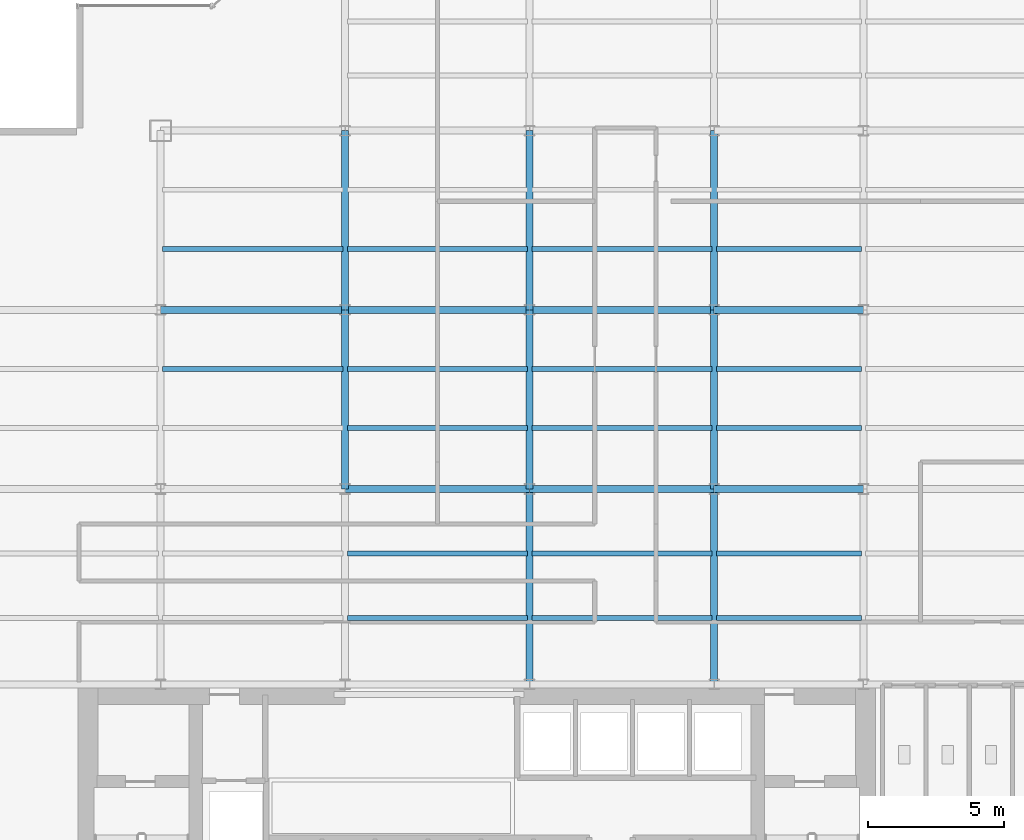
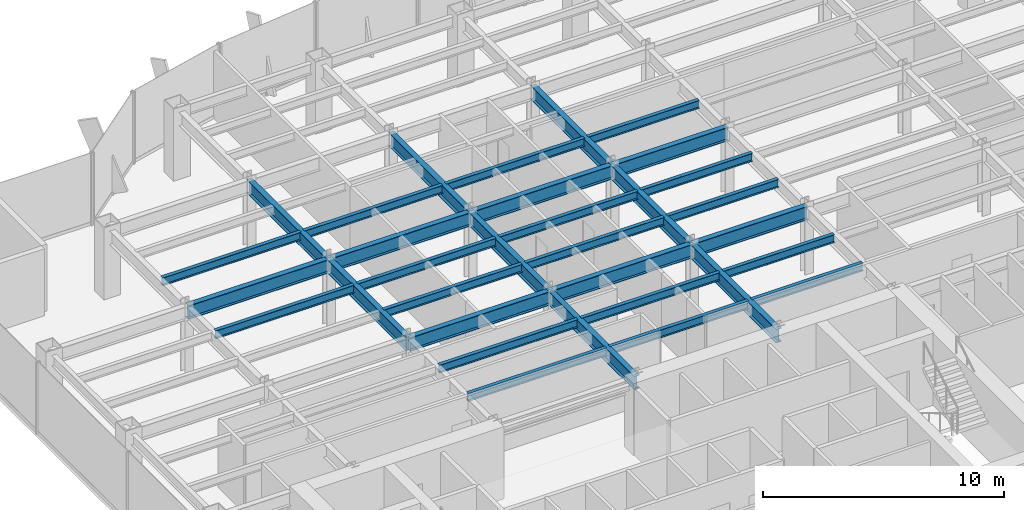
# One storey, part 7 of 26: 32 beams.
"""IFC4 building model written with IfcOpenShell, lengths in metres."""

from ifc_helpers import new_model, si_unit, derived_unit, direction, frame, origin, origin_2d, place, context, subcontext, project, spatial, i_section, extrude, source, transform, mapped, material, material_profile, profile_set, type_object, element, save


model = new_model("IFC4")

# Units and contexts
model_context = context("Model", 3, precision=1e-05, world=origin(), true_north=direction((0.0, 1.0)))
body_context = subcontext(model_context, "Body", "Model", "MODEL_VIEW")
ifc_project = project(units=[si_unit("LENGTHUNIT", "METRE"), si_unit("AREAUNIT", "SQUARE_METRE"), si_unit("VOLUMEUNIT", "CUBIC_METRE"), si_unit("PLANEANGLEUNIT", "RADIAN"), si_unit("MASSUNIT", "GRAM", prefix="KILO"), derived_unit("THERMALTRANSMITTANCEUNIT", [(si_unit("POWERUNIT", "WATT"), 1), (si_unit("LENGTHUNIT", "METRE"), -2), (si_unit("THERMODYNAMICTEMPERATUREUNIT", "KELVIN"), -1)])], contexts=[model_context])

# Site, building, storey
site_placement = place(None, origin())
site = spatial("IfcSite", under=ifc_project, at=site_placement, CompositionType="ELEMENT")
building_placement = place(site_placement, origin())
building = spatial("IfcBuilding", under=site, at=building_placement, Name="Skarnbrae Concourse Arena and Tower", CompositionType="ELEMENT")
storey_placement = place(building_placement, frame((0.0, 0.0, 95.949951171875)))
storey = spatial("IfcBuildingStorey", under=building, at=storey_placement, Name="L23", CompositionType="ELEMENT", Elevation=95.949951171875)

# Beams
ifc_material = material(Name="Steel CSA G40.21 350W", Category="steel")
ifc_material_profile_1 = material_profile(ifc_material, i_section(OverallWidth=0.256103515625, OverallDepth=0.693115234375, WebThickness=0.014404296875, FlangeThickness=0.023681640625, at=origin_2d()), Name="W690X170")
ifc_profile_set_1 = profile_set([ifc_material_profile_1], Name="Steel CSA G40.21 350W")
beam_type_1 = type_object("IfcBeamType", Name="BM-GIRD-W690X170", PredefinedType="BEAM", material=ifc_profile_set_1)
shared_shape_1 = source(origin(), body_context, "Body", "SweptSolid", [
    extrude(i_section(OverallWidth=0.256103515625, OverallDepth=0.693115234375, WebThickness=0.014404296875, FlangeThickness=0.023681640625, at=origin_2d()), origin(), (0.0, 0.0, 1.0), 6.60009765625),
])
for number, where, z_axis, x_axis, name in (
    (1, (14.39990234375, 21.199951171875, 3.053466796875), (0.0, 1.0, 0.0), (-1.0, 0.0, 0.0), "L23 Primary N-S girder X14.4-2"),
    (2, (21.199951171875, 21.199951171875, 3.053466796875), (0.0, 1.0, 0.0), (-1.0, 0.0, 0.0), "L23 Primary N-S girder X21.2-2"),
    (3, (28.0, 21.199951171875, 3.053466796875), (0.0, 1.0, 0.0), (-1.0, 0.0, 0.0), "L23 Primary N-S girder X28.0-2"),
):
    element("IfcBeam", number, at=place(storey_placement, frame(where, z_axis=z_axis, x_axis=x_axis)), inside=storey, type_object=beam_type_1, Name=name, PredefinedType="BEAM", context=body_context, shape_type="MappedRepresentation", body=[
        mapped(shared_shape_1, transform((0.0, 0.0, 0.0))),
    ])
shared_shape_2 = source(origin(), body_context, "Body", "SweptSolid", [
    extrude(i_section(OverallWidth=0.256103515625, OverallDepth=0.693115234375, WebThickness=0.014404296875, FlangeThickness=0.023681640625, at=origin_2d()), origin(), (0.0, 0.0, 1.0), 6.7998046875),
])
beam_placement = place(storey_placement, frame((7.60009765625, 27.800048828125, 3.053466796875), z_axis=(1.0, 0.0, 0.0), x_axis=(0.0, 1.0, 0.0)))
element("IfcBeam", 4, at=beam_placement, inside=storey, type_object=beam_type_1, Name="L23 Primary E-W girder Y27.8-2", PredefinedType="BEAM", context=body_context, shape_type="MappedRepresentation", body=[
    mapped(shared_shape_2, transform((0.0, 0.0, 0.0))),
])
shared_shape_3 = source(origin(), body_context, "Body", "SweptSolid", [
    extrude(i_section(OverallWidth=0.256103515625, OverallDepth=0.693115234375, WebThickness=0.014404296875, FlangeThickness=0.023681640625, at=origin_2d()), origin(), (0.0, 0.0, 1.0), 6.800048828125),
])
for number, where, z_axis, x_axis, name in (
    (5, (14.39990234375, 21.199951171875, 3.053466796875), (1.0, 0.0, 0.0), (0.0, 1.0, 0.0), "L23 Primary E-W girder Y21.2-3"),
    (6, (21.199951171875, 21.199951171875, 3.053466796875), (1.0, 0.0, 0.0), (0.0, 1.0, 0.0), "L23 Primary E-W girder Y21.2-4"),
    (7, (14.39990234375, 27.800048828125, 3.053466796875), (1.0, 0.0, 0.0), (0.0, 1.0, 0.0), "L23 Primary E-W girder Y27.8-3"),
    (8, (21.199951171875, 27.800048828125, 3.053466796875), (1.0, 0.0, 0.0), (0.0, 1.0, 0.0), "L23 Primary E-W girder Y27.8-4"),
):
    element("IfcBeam", number, at=place(storey_placement, frame(where, z_axis=z_axis, x_axis=x_axis)), inside=storey, type_object=beam_type_1, Name=name, PredefinedType="BEAM", context=body_context, shape_type="MappedRepresentation", body=[
        mapped(shared_shape_3, transform((0.0, 0.0, 0.0))),
    ])
shared_shape_4 = source(origin(), body_context, "Body", "SweptSolid", [
    extrude(i_section(OverallWidth=0.256103515625, OverallDepth=0.693115234375, WebThickness=0.014404296875, FlangeThickness=0.023681640625, at=origin_2d()), origin(), (0.0, 0.0, 1.0), 5.5),
])
for number, where, z_axis, x_axis, name in (
    (9, (28.0, 21.199951171875, 3.053466796875), (1.0, 0.0, 0.0), (0.0, 1.0, 0.0), "L23 Primary E-W girder Y21.2-5"),
    (10, (28.0, 27.800048828125, 3.053466796875), (1.0, 0.0, 0.0), (0.0, 1.0, 0.0), "L23 Primary E-W girder Y27.8-5"),
):
    element("IfcBeam", number, at=place(storey_placement, frame(where, z_axis=z_axis, x_axis=x_axis)), inside=storey, type_object=beam_type_1, Name=name, PredefinedType="BEAM", context=body_context, shape_type="MappedRepresentation", body=[
        mapped(shared_shape_4, transform((0.0, 0.0, 0.0))),
    ])
shared_shape_5 = source(origin(), body_context, "Body", "SweptSolid", [
    extrude(i_section(OverallWidth=0.256103515625, OverallDepth=0.693115234375, WebThickness=0.014404296875, FlangeThickness=0.023681640625, at=origin_2d()), origin(), (0.0, 0.0, 1.0), 7.199951171875),
])
for number, where, z_axis, x_axis, name in (
    (11, (21.199951171875, 14.0, 3.053466796875), (0.0, 1.0, 0.0), (-1.0, 0.0, 0.0), "L23 Primary N-S girder X21.2-1"),
    (12, (28.0, 14.0, 3.053466796875), (0.0, 1.0, 0.0), (-1.0, 0.0, 0.0), "L23 Primary N-S girder X28.0-1"),
):
    element("IfcBeam", number, at=place(storey_placement, frame(where, z_axis=z_axis, x_axis=x_axis)), inside=storey, type_object=beam_type_1, Name=name, PredefinedType="BEAM", context=body_context, shape_type="MappedRepresentation", body=[
        mapped(shared_shape_5, transform((0.0, 0.0, 0.0))),
    ])
shared_shape_6 = source(origin(), body_context, "Body", "SweptSolid", [
    extrude(i_section(OverallWidth=0.256103515625, OverallDepth=0.693115234375, WebThickness=0.014404296875, FlangeThickness=0.023681640625, at=origin_2d()), origin(), (0.0, 0.0, 1.0), 6.599853515625),
])
for number, where, z_axis, x_axis, name in (
    (13, (14.39990234375, 27.800048828125, 3.053466796875), (0.0, 1.0, 0.0), (-1.0, 0.0, 0.0), "L23 Primary N-S girder X14.4-3"),
    (14, (21.199951171875, 27.800048828125, 3.053466796875), (0.0, 1.0, 0.0), (-1.0, 0.0, 0.0), "L23 Primary N-S girder X21.2-3"),
    (15, (28.0, 27.800048828125, 3.053466796875), (0.0, 1.0, 0.0), (-1.0, 0.0, 0.0), "L23 Primary N-S girder X28.0-3"),
):
    element("IfcBeam", number, at=place(storey_placement, frame(where, z_axis=z_axis, x_axis=x_axis)), inside=storey, type_object=beam_type_1, Name=name, PredefinedType="BEAM", context=body_context, shape_type="MappedRepresentation", body=[
        mapped(shared_shape_6, transform((0.0, 0.0, 0.0))),
    ])
ifc_material_profile_2 = material_profile(ifc_material, i_section(OverallWidth=0.177978515625, OverallDepth=0.406982421875, WebThickness=0.0078125, FlangeThickness=0.0126953125, at=origin_2d()), Name="W410X60")
ifc_profile_set_2 = profile_set([ifc_material_profile_2], Name="Steel CSA G40.21 350W")
beam_type_2 = type_object("IfcBeamType", Name="BM-JOIST-W410X60", PredefinedType="JOIST", material=ifc_profile_set_2)
shared_shape_7 = source(origin(), body_context, "Body", "SweptSolid", [
    extrude(i_section(OverallWidth=0.177978515625, OverallDepth=0.406982421875, WebThickness=0.0078125, FlangeThickness=0.0126953125, at=origin_2d()), origin(), (0.0, 0.0, 1.0), 6.64013671875),
])
for number, where, z_axis, x_axis, name in (
    (16, (14.47998046875, 16.447998046875, 3.196533203125), (1.0, 0.0, 0.0), (0.0, 1.0, 0.0), "L23 Secondary floor joist 1.1.3"),
    (17, (14.47998046875, 18.823974609375, 3.196533203125), (1.0, 0.0, 0.0), (0.0, 1.0, 0.0), "L23 Secondary floor joist 1.2.3"),
    (18, (14.47998046875, 23.444091796875, 3.196533203125), (1.0, 0.0, 0.0), (0.0, 1.0, 0.0), "L23 Secondary floor joist 2.1.3"),
    (19, (7.679931640625, 25.6220703125, 3.196533203125), (1.0, 0.0, 0.0), (0.0, 1.0, 0.0), "L23 Secondary floor joist 2.2.2"),
    (20, (14.47998046875, 25.6220703125, 3.196533203125), (1.0, 0.0, 0.0), (0.0, 1.0, 0.0), "L23 Secondary floor joist 2.2.3"),
    (21, (7.679931640625, 30.0439453125, 3.196533203125), (1.0, 0.0, 0.0), (0.0, 1.0, 0.0), "L23 Secondary floor joist 3.1.1"),
    (22, (14.47998046875, 30.0439453125, 3.196533203125), (1.0, 0.0, 0.0), (0.0, 1.0, 0.0), "L23 Secondary floor joist 3.1.2"),
):
    element("IfcBeam", number, at=place(storey_placement, frame(where, z_axis=z_axis, x_axis=x_axis)), inside=storey, type_object=beam_type_2, Name=name, PredefinedType="JOIST", context=body_context, shape_type="MappedRepresentation", body=[
        mapped(shared_shape_7, transform((0.0, 0.0, 0.0))),
    ])
shared_shape_8 = source(origin(), body_context, "Body", "SweptSolid", [
    extrude(i_section(OverallWidth=0.177978515625, OverallDepth=0.406982421875, WebThickness=0.0078125, FlangeThickness=0.0126953125, at=origin_2d()), origin(), (0.0, 0.0, 1.0), 6.639892578125),
])
for number, where, z_axis, x_axis, name in (
    (23, (21.280029296875, 16.447998046875, 3.196533203125), (1.0, 0.0, 0.0), (0.0, 1.0, 0.0), "L23 Secondary floor joist 1.1.4"),
    (24, (21.280029296875, 18.823974609375, 3.196533203125), (1.0, 0.0, 0.0), (0.0, 1.0, 0.0), "L23 Secondary floor joist 1.2.4"),
    (25, (21.280029296875, 23.444091796875, 3.196533203125), (1.0, 0.0, 0.0), (0.0, 1.0, 0.0), "L23 Secondary floor joist 2.1.4"),
    (26, (21.280029296875, 25.6220703125, 3.196533203125), (1.0, 0.0, 0.0), (0.0, 1.0, 0.0), "L23 Secondary floor joist 2.2.4"),
    (27, (21.280029296875, 30.0439453125, 3.196533203125), (1.0, 0.0, 0.0), (0.0, 1.0, 0.0), "L23 Secondary floor joist 3.1.3"),
):
    element("IfcBeam", number, at=place(storey_placement, frame(where, z_axis=z_axis, x_axis=x_axis)), inside=storey, type_object=beam_type_2, Name=name, PredefinedType="JOIST", context=body_context, shape_type="MappedRepresentation", body=[
        mapped(shared_shape_8, transform((0.0, 0.0, 0.0))),
    ])
shared_shape_9 = source(origin(), body_context, "Body", "SweptSolid", [
    extrude(i_section(OverallWidth=0.177978515625, OverallDepth=0.406982421875, WebThickness=0.0078125, FlangeThickness=0.0126953125, at=origin_2d()), origin(), (0.0, 0.0, 1.0), 5.33984375),
])
for number, where, z_axis, x_axis, name in (
    (28, (28.080078125, 16.447998046875, 3.196533203125), (1.0, 0.0, 0.0), (0.0, 1.0, 0.0), "L23 Secondary floor joist 1.1.5"),
    (29, (28.080078125, 18.823974609375, 3.196533203125), (1.0, 0.0, 0.0), (0.0, 1.0, 0.0), "L23 Secondary floor joist 1.2.5"),
    (30, (28.080078125, 23.444091796875, 3.196533203125), (1.0, 0.0, 0.0), (0.0, 1.0, 0.0), "L23 Secondary floor joist 2.1.5"),
    (31, (28.080078125, 25.6220703125, 3.196533203125), (1.0, 0.0, 0.0), (0.0, 1.0, 0.0), "L23 Secondary floor joist 2.2.5"),
    (32, (28.080078125, 30.0439453125, 3.196533203125), (1.0, 0.0, 0.0), (0.0, 1.0, 0.0), "L23 Secondary floor joist 3.1.4"),
):
    element("IfcBeam", number, at=place(storey_placement, frame(where, z_axis=z_axis, x_axis=x_axis)), inside=storey, type_object=beam_type_2, Name=name, PredefinedType="JOIST", context=body_context, shape_type="MappedRepresentation", body=[
        mapped(shared_shape_9, transform((0.0, 0.0, 0.0))),
    ])

save(model, "model.ifc")
